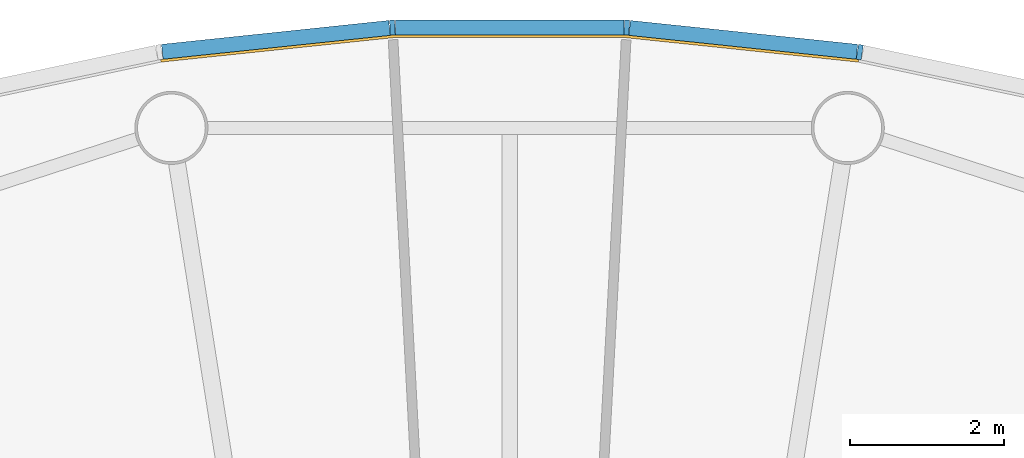
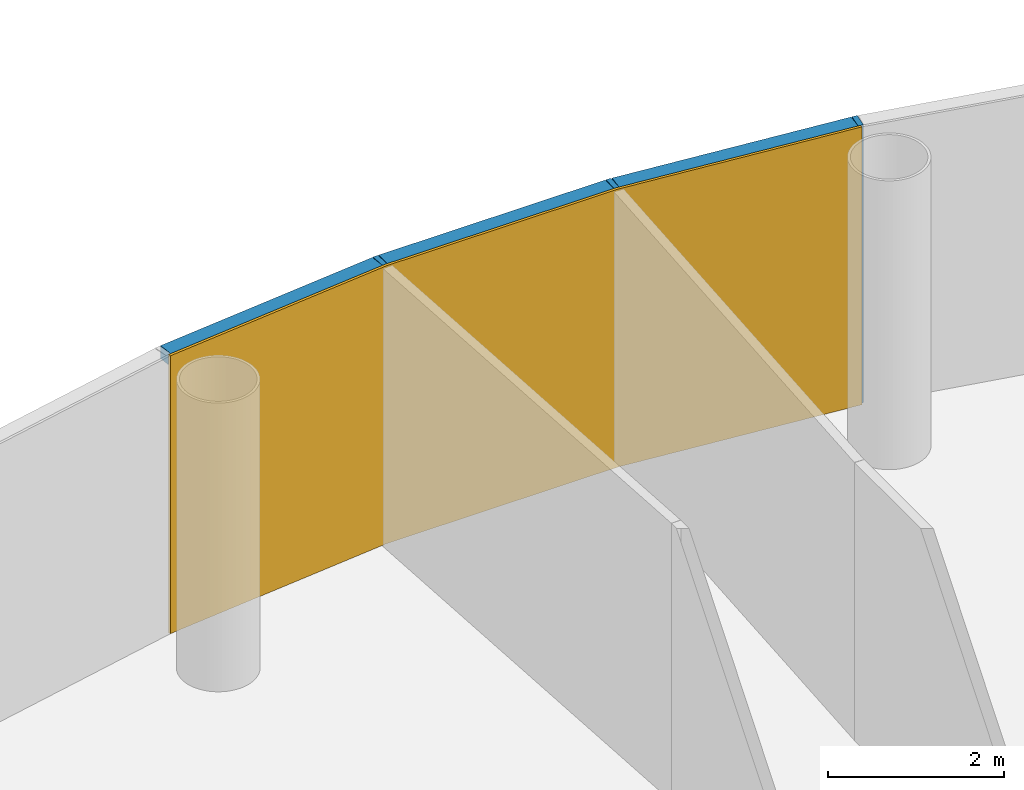
# One storey, part 11 of 13: 6 members, 1 curtain wall.
"""IFC4 building model written with IfcOpenShell, lengths in metres."""

from ifc_helpers import new_model, si_unit, direction, frame, origin, origin_2d, place, context, subcontext, project, spatial, polyline, rectangle, outline, extrude, material, layer, layer_set, material_profile, profile_set, type_object, element, aggregate, save


model = new_model("IFC4")

# Units and contexts
model_context = context("Model", 3, precision=1e-05, world=origin(), true_north=direction((0.0, 1.0)))
body_context = subcontext(model_context, "Body", "Model", "MODEL_VIEW")
ifc_project = project(units=[si_unit("LENGTHUNIT", "METRE"), si_unit("AREAUNIT", "SQUARE_METRE"), si_unit("VOLUMEUNIT", "CUBIC_METRE"), si_unit("PLANEANGLEUNIT", "RADIAN"), si_unit("MASSUNIT", "GRAM", prefix="KILO")], contexts=[model_context])

# Member
ifc_material_1 = material(Name="Anodised aluminium", Category="aluminium")
ifc_material_profile_1 = material_profile(ifc_material_1, rectangle(XDim=0.06494140625, YDim=0.195068359375, at=origin_2d()), Name="Mullion 65 x 195 mm anodised aluminium")
ifc_profile_set_1 = profile_set([ifc_material_profile_1], Name="Anodised aluminium")
member_type_1 = type_object("IfcMemberType", Name="Mullion 65 x 195 mm anodised aluminium", PredefinedType="MULLION", material=ifc_profile_set_1)
site_placement = place(None, origin())
building_placement = place(site_placement, origin())
storey_placement = place(building_placement, frame((0.0, 0.0, 298.0)))
member_1_placement = place(storey_placement, frame((94.5517578125, 108.7392578125, 0.0), z_axis=(0.0, 0.0, 1.0), x_axis=(-0.987688340595, 0.15643446504, 0.0)))
member_1 = element("IfcMember", 1, at=member_1_placement, type_object=member_type_1, Name="MULLION L68-12", PredefinedType="MULLION", context=body_context, shape_type="SweptSolid", body=[
    extrude(rectangle(XDim=0.06494140625, YDim=0.195068359375, at=origin_2d()), origin(), (0.0, 0.0, 1.0), 3.85009765625),
])

member_2_placement = place(storey_placement, frame((91.52294921875, 109.0576171875, 0.0), z_axis=(0.0, 0.0, 1.0), x_axis=(-0.998629534755, 0.052335956243, 0.0)))
member_2 = element("IfcMember", 2, at=member_2_placement, type_object=member_type_1, Name="MULLION L68-13", PredefinedType="MULLION", context=body_context, shape_type="SweptSolid", body=[
    extrude(rectangle(XDim=0.06494140625, YDim=0.195068359375, at=origin_2d()), origin(), (0.0, 0.0, 1.0), 3.85009765625),
])

member_3_placement = place(storey_placement, frame((88.47705078125, 109.0576171875, 0.0), z_axis=(0.0, 0.0, 1.0), x_axis=(-0.998629534755, -0.052335956243, 0.0)))
member_3 = element("IfcMember", 3, at=member_3_placement, type_object=member_type_1, Name="MULLION L68-14", PredefinedType="MULLION", context=body_context, shape_type="SweptSolid", body=[
    extrude(rectangle(XDim=0.06494140625, YDim=0.195068359375, at=origin_2d()), origin(), (0.0, 0.0, 1.0), 3.85009765625),
])

ifc_material_2 = material(Name="Anodised aluminium", Category="aluminium")
ifc_material_profile_2 = material_profile(ifc_material_2, rectangle(XDim=0.195068359375, YDim=0.179931640625, at=origin_2d()), Name="Transom 180 x 195 mm anodised aluminium")
ifc_profile_set_2 = profile_set([ifc_material_profile_2], Name="Anodised aluminium")
member_type_2 = type_object("IfcMemberType", Name="Transom 180 x 195 mm anodised aluminium", PredefinedType="USERDEFINED", material=ifc_profile_set_2)
member_4_placement = place(storey_placement, frame((94.514404296875, 108.743408203125, 3.760009765625), z_axis=(-0.994528397827, 0.104466577987, 0.0), x_axis=(-0.104466577987, -0.994528397827, 0.0)))
member_4 = element("IfcMember", 4, at=member_4_placement, type_object=member_type_2, Name="TRANSOM L68-12", ObjectType="TRANSOM", PredefinedType="USERDEFINED", context=body_context, shape_type="SweptSolid", body=[
    extrude(rectangle(XDim=0.195068359375, YDim=0.179931640625, at=origin_2d()), origin(), (0.0, 0.0, 1.0), 2.970458984375),
])

member_5_placement = place(storey_placement, frame((91.4853515625, 109.057861328125, 3.760009765625), z_axis=(-1.0, 0.0, 0.0), x_axis=(0.0, -1.0, 0.0)))
member_5 = element("IfcMember", 5, at=member_5_placement, type_object=member_type_2, Name="TRANSOM L68-13", ObjectType="TRANSOM", PredefinedType="USERDEFINED", context=body_context, shape_type="SweptSolid", body=[
    extrude(rectangle(XDim=0.195068359375, YDim=0.179931640625, at=origin_2d()), origin(), (0.0, 0.0, 1.0), 2.970703125),
])

member_6_placement = place(storey_placement, frame((88.439697265625, 109.0537109375, 3.760009765625), z_axis=(-0.994528397827, -0.104466577987, 0.0), x_axis=(0.104466577987, -0.994528397827, 0.0)))
member_6 = element("IfcMember", 6, at=member_6_placement, type_object=member_type_2, Name="TRANSOM L68-14", ObjectType="TRANSOM", PredefinedType="USERDEFINED", context=body_context, shape_type="SweptSolid", body=[
    extrude(rectangle(XDim=0.195068359375, YDim=0.179931640625, at=origin_2d()), origin(), (0.0, 0.0, 1.0), 2.970458984375),
])

# Site, building, storey
site = spatial("IfcSite", under=ifc_project, at=site_placement, CompositionType="ELEMENT")
building = spatial("IfcBuilding", under=site, at=building_placement, Name="Entoto Ring Tower", CompositionType="ELEMENT")
storey = spatial("IfcBuildingStorey", under=building, at=storey_placement, Name="L68", CompositionType="ELEMENT", Elevation=298.0)

# Curtain wall
ifc_material_3 = material(Name="Clear low-iron glass", Category="glass")
ifc_layer = layer(ifc_material_3, 0.033935546875)
ifc_layer_set = layer_set([ifc_layer], Name="Clear low-iron glass")
curtain_wall_type = type_object("IfcCurtainWallType", Name="Curtain wall system CW5 glazing 34 mm", PredefinedType="NOTDEFINED", material=ifc_layer_set)
curtain_wall_placement = place(storey_placement, origin())
curtain_wall = element("IfcCurtainWall", 7, at=curtain_wall_placement, inside=storey, type_object=curtain_wall_type, Name="CW5 L68-05", PredefinedType="NOTDEFINED", context=body_context, shape_type="SweptSolid", body=[
    extrude(outline(polyline([(94.53662109375, 108.64306640625), (91.517822265625, 108.960205078125), (88.482177734375, 108.960205078125), (85.46337890625, 108.64306640625), (85.46875, 108.609375), (88.484130859375, 108.92626953125), (91.515869140625, 108.92626953125), (94.53125, 108.609375), (94.53662109375, 108.64306640625)])), origin(), (0.0, 0.0, 1.0), 3.85009765625),
])

aggregate(curtain_wall, [member_1, member_2, member_3, member_4, member_5, member_6])

save(model, "model.ifc")
